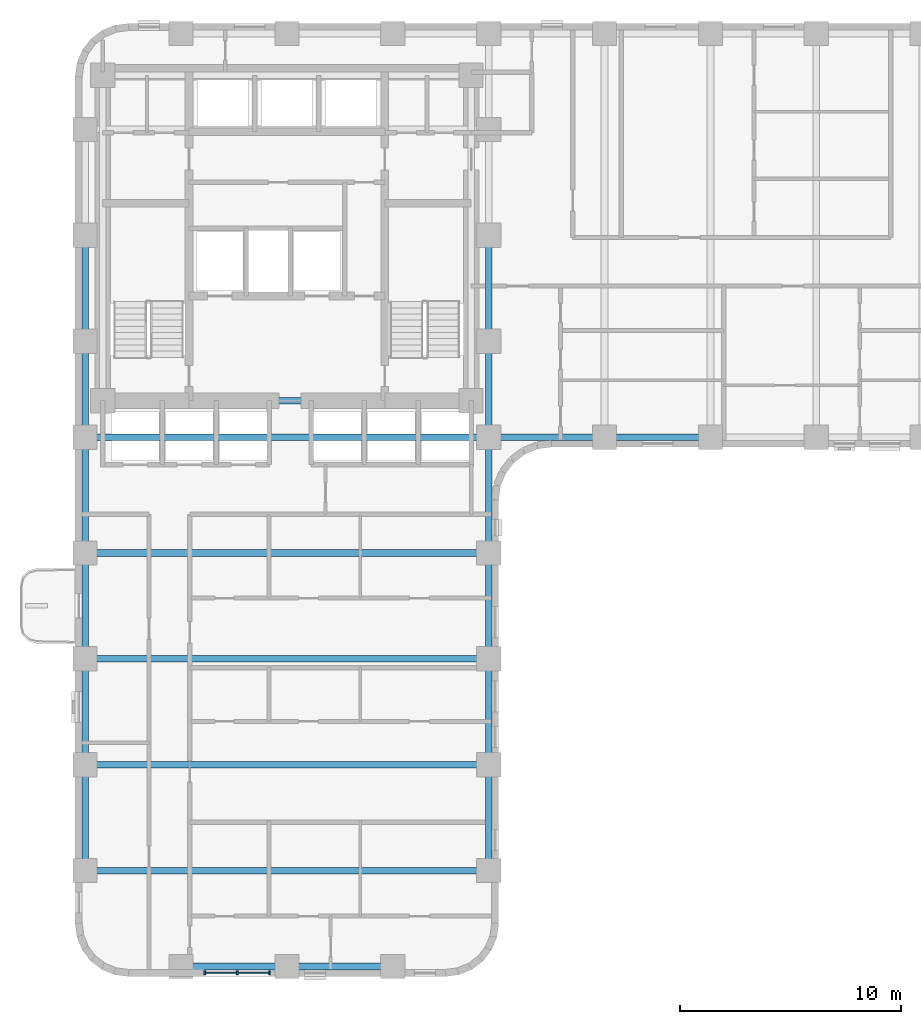
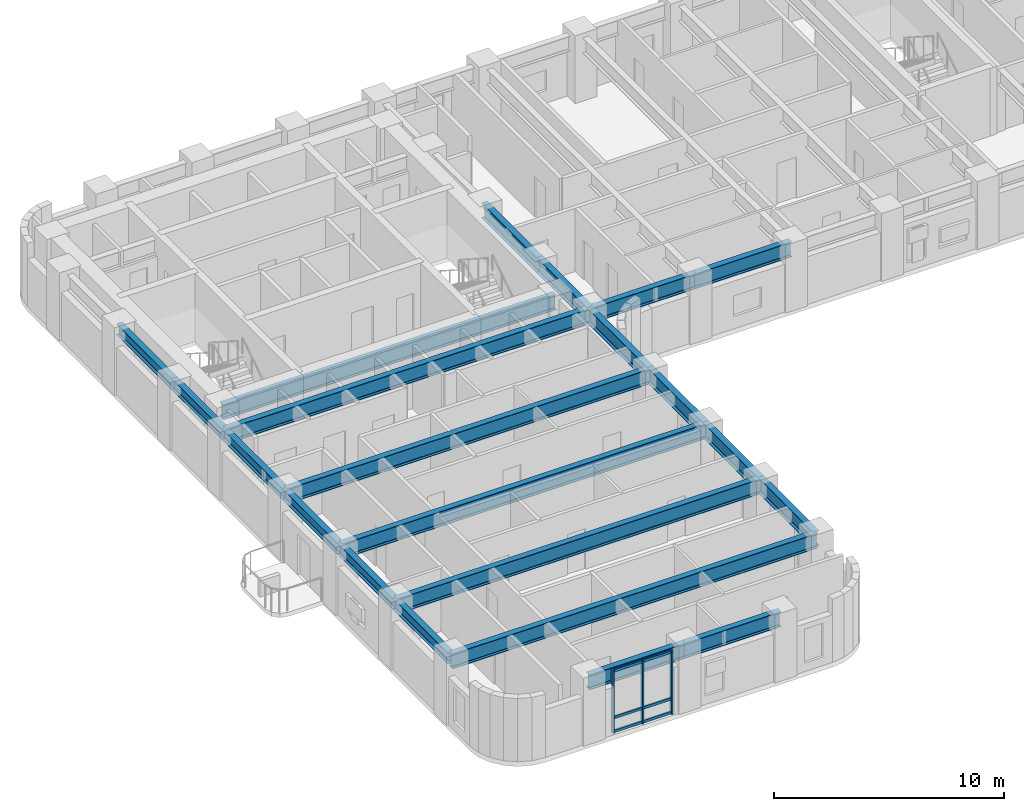
# One storey, part 2 of 12: 22 beams, 9 members, 1 element without a shape of its own.
"""IFC4 building model written with IfcOpenShell, lengths in metres."""

from ifc_helpers import new_model, si_unit, direction, frame, origin, origin_2d, place, context, subcontext, project, spatial, rectangle, i_section, extrude, material, material_profile, profile_set, type_object, element, aggregate, save


model = new_model("IFC4")

# Units and contexts
model_context = context("Model", 3, precision=1e-05, world=origin(), true_north=direction((0.0, 1.0)))
body_context = subcontext(model_context, "Body", "Model", "MODEL_VIEW")
ifc_project = project(units=[si_unit("LENGTHUNIT", "METRE"), si_unit("AREAUNIT", "SQUARE_METRE"), si_unit("VOLUMEUNIT", "CUBIC_METRE"), si_unit("PLANEANGLEUNIT", "RADIAN"), si_unit("MASSUNIT", "GRAM", prefix="KILO")], contexts=[model_context])

# Site, building, storey
site_placement = place(None, origin())
site = spatial("IfcSite", under=ifc_project, at=site_placement, CompositionType="ELEMENT")
building_placement = place(site_placement, origin())
building = spatial("IfcBuilding", under=site, at=building_placement, Name="Orvandelia Arch Residences", CompositionType="ELEMENT")
storey_placement = place(building_placement, frame((0.0, 0.0, 71.800048828125)))
storey = spatial("IfcBuildingStorey", under=building, at=storey_placement, Name="L18", CompositionType="ELEMENT", Elevation=71.800048828125)

# Beams
ifc_material_1 = material(Name="Structural Steel SM355 (355 MPa)", Category="steel")
ifc_material_profile_1 = material_profile(ifc_material_1, i_section(OverallWidth=0.300048828125, OverallDepth=0.800048828125, WebThickness=0.013916015625, FlangeThickness=0.02587890625, FilletRadius=0.02587890625, at=origin_2d()), Name="Structural Steel SM355 (355 MPa)", Category="steel")
ifc_profile_set_1 = profile_set([ifc_material_profile_1], Name="Structural Steel SM355 (355 MPa)")
beam_type_1 = type_object("IfcBeamType", Name="BM-GRD-H800", PredefinedType="BEAM", material=ifc_profile_set_1)
beam_1_placement = place(storey_placement, frame((23.550048828125, 9.60009765625, 2.949951171875), z_axis=(0.0, 1.0, 0.0), x_axis=(-1.0, 0.0, 0.0)))
element("IfcBeam", 1, at=beam_1_placement, inside=storey, type_object=beam_type_1, Name="Structural Frame Beam L18-NS-010", PredefinedType="BEAM", context=body_context, shape_type="SweptSolid", body=[
    extrude(i_section(OverallWidth=0.300048828125, OverallDepth=0.800048828125, WebThickness=0.013916015625, FlangeThickness=0.02587890625, FilletRadius=0.02587890625, at=origin_2d()), origin(), (0.0, 0.0, 1.0), 4.7998046875),
])
for number, where, z_axis, x_axis, name in (
    (2, (23.550048828125, 14.39990234375, 2.949951171875), (0.0, 1.0, 0.0), (-1.0, 0.0, 0.0), "Structural Frame Beam L18-NS-011"),
    (3, (23.550048828125, 19.199951171875, 2.949951171875), (0.0, 1.0, 0.0), (-1.0, 0.0, 0.0), "Structural Frame Beam L18-NS-012"),
):
    element("IfcBeam", number, at=place(storey_placement, frame(where, z_axis=z_axis, x_axis=x_axis)), inside=storey, type_object=beam_type_1, Name=name, PredefinedType="BEAM", context=body_context, shape_type="SweptSolid", body=[
        extrude(i_section(OverallWidth=0.300048828125, OverallDepth=0.800048828125, WebThickness=0.013916015625, FlangeThickness=0.02587890625, FilletRadius=0.02587890625, at=origin_2d()), origin(), (0.0, 0.0, 1.0), 4.800048828125),
    ])
beam_2_placement = place(storey_placement, frame((23.550048828125, 24.0, 2.949951171875), z_axis=(0.0, 1.0, 0.0), x_axis=(-1.0, 0.0, 0.0)))
element("IfcBeam", 4, at=beam_2_placement, inside=storey, type_object=beam_type_1, Name="Structural Frame Beam L18-NS-013", PredefinedType="BEAM", context=body_context, shape_type="SweptSolid", body=[
    extrude(i_section(OverallWidth=0.300048828125, OverallDepth=0.800048828125, WebThickness=0.013916015625, FlangeThickness=0.02587890625, FilletRadius=0.02587890625, at=origin_2d()), origin(), (0.0, 0.0, 1.0), 5.25),
])
beam_3_placement = place(storey_placement, frame((23.550048828125, 29.25, 2.949951171875), z_axis=(0.0, 1.0, 0.0), x_axis=(-1.0, 0.0, 0.0)))
element("IfcBeam", 5, at=beam_3_placement, inside=storey, type_object=beam_type_1, Name="Structural Frame Beam L18-NS-014", PredefinedType="BEAM", context=body_context, shape_type="SweptSolid", body=[
    extrude(i_section(OverallWidth=0.300048828125, OverallDepth=0.800048828125, WebThickness=0.013916015625, FlangeThickness=0.02587890625, FilletRadius=0.02587890625, at=origin_2d()), origin(), (0.0, 0.0, 1.0), 4.35009765625),
])
for number, where, z_axis, x_axis, name in (
    (6, (23.550048828125, 33.60009765625, 2.949951171875), (0.0, 1.0, 0.0), (-1.0, 0.0, 0.0), "Structural Frame Beam L18-NS-015"),
    (7, (9.60009765625, 5.25, 2.949951171875), (1.0, 0.0, 0.0), (0.0, 1.0, 0.0), "Structural Frame Girder L18-EW-029"),
):
    element("IfcBeam", number, at=place(storey_placement, frame(where, z_axis=z_axis, x_axis=x_axis)), inside=storey, type_object=beam_type_1, Name=name, PredefinedType="BEAM", context=body_context, shape_type="SweptSolid", body=[
        extrude(i_section(OverallWidth=0.300048828125, OverallDepth=0.800048828125, WebThickness=0.013916015625, FlangeThickness=0.02587890625, FilletRadius=0.02587890625, at=origin_2d()), origin(), (0.0, 0.0, 1.0), 4.7998046875),
    ])
beam_4_placement = place(storey_placement, frame((14.39990234375, 5.25, 2.949951171875), z_axis=(1.0, 0.0, 0.0), x_axis=(0.0, 1.0, 0.0)))
element("IfcBeam", 8, at=beam_4_placement, inside=storey, type_object=beam_type_1, Name="Structural Frame Girder L18-EW-030", PredefinedType="BEAM", context=body_context, shape_type="SweptSolid", body=[
    extrude(i_section(OverallWidth=0.300048828125, OverallDepth=0.800048828125, WebThickness=0.013916015625, FlangeThickness=0.02587890625, FilletRadius=0.02587890625, at=origin_2d()), origin(), (0.0, 0.0, 1.0), 4.800048828125),
])
for number, where, z_axis, x_axis, name in (
    (9, (5.25, 9.60009765625, 2.949951171875), (1.0, 0.0, 0.0), (0.0, 1.0, 0.0), "Structural Frame Girder L18-EW-031"),
    (10, (5.25, 14.39990234375, 2.949951171875), (1.0, 0.0, 0.0), (0.0, 1.0, 0.0), "Structural Frame Girder L18-EW-032"),
    (11, (5.25, 19.199951171875, 2.949951171875), (1.0, 0.0, 0.0), (0.0, 1.0, 0.0), "Structural Frame Girder L18-EW-033"),
    (12, (5.25, 24.0, 2.949951171875), (1.0, 0.0, 0.0), (0.0, 1.0, 0.0), "Structural Frame Girder L18-EW-034"),
    (13, (5.25, 29.25, 2.949951171875), (1.0, 0.0, 0.0), (0.0, 1.0, 0.0), "Structural Frame Girder L18-EW-035"),
):
    element("IfcBeam", number, at=place(storey_placement, frame(where, z_axis=z_axis, x_axis=x_axis)), inside=storey, type_object=beam_type_1, Name=name, PredefinedType="BEAM", context=body_context, shape_type="SweptSolid", body=[
        extrude(i_section(OverallWidth=0.300048828125, OverallDepth=0.800048828125, WebThickness=0.013916015625, FlangeThickness=0.02587890625, FilletRadius=0.02587890625, at=origin_2d()), origin(), (0.0, 0.0, 1.0), 18.300048828125),
    ])
beam_5_placement = place(storey_placement, frame((23.550048828125, 29.25, 2.949951171875), z_axis=(1.0, 0.0, 0.0), x_axis=(0.0, 1.0, 0.0)))
element("IfcBeam", 14, at=beam_5_placement, inside=storey, type_object=beam_type_1, Name="Structural Frame Girder L18-EW-036", PredefinedType="BEAM", context=body_context, shape_type="SweptSolid", body=[
    extrude(i_section(OverallWidth=0.300048828125, OverallDepth=0.800048828125, WebThickness=0.013916015625, FlangeThickness=0.02587890625, FilletRadius=0.02587890625, at=origin_2d()), origin(), (0.0, 0.0, 1.0), 5.25),
])
beam_6_placement = place(storey_placement, frame((28.800048828125, 29.25, 2.949951171875), z_axis=(1.0, 0.0, 0.0), x_axis=(0.0, 1.0, 0.0)))
element("IfcBeam", 15, at=beam_6_placement, inside=storey, type_object=beam_type_1, Name="Structural Frame Girder L18-EW-037", PredefinedType="BEAM", context=body_context, shape_type="SweptSolid", body=[
    extrude(i_section(OverallWidth=0.300048828125, OverallDepth=0.800048828125, WebThickness=0.013916015625, FlangeThickness=0.02587890625, FilletRadius=0.02587890625, at=origin_2d()), origin(), (0.0, 0.0, 1.0), 4.800048828125),
])
beam_7_placement = place(storey_placement, frame((6.050048828125, 30.89990234375, 2.949951171875), z_axis=(1.0, 0.0, 0.0), x_axis=(0.0, 1.0, 0.0)))
element("IfcBeam", 16, at=beam_7_placement, inside=storey, type_object=beam_type_1, Name="Structural Frame Girder L18-EW-042", PredefinedType="BEAM", context=body_context, shape_type="SweptSolid", body=[
    extrude(i_section(OverallWidth=0.300048828125, OverallDepth=0.800048828125, WebThickness=0.013916015625, FlangeThickness=0.02587890625, FilletRadius=0.02587890625, at=origin_2d()), origin(), (0.0, 0.0, 1.0), 16.699951171875),
])
ifc_material_profile_2 = material_profile(ifc_material_1, i_section(OverallWidth=0.300048828125, OverallDepth=0.587890625, WebThickness=0.011962890625, FlangeThickness=0.02001953125, FilletRadius=0.02197265625, at=origin_2d()), Name="Structural Steel SM355 (355 MPa)", Category="steel")
ifc_profile_set_2 = profile_set([ifc_material_profile_2], Name="Structural Steel SM355 (355 MPa)")
beam_type_2 = type_object("IfcBeamType", Name="BM-SPN-H588", PredefinedType="SPANDREL", material=ifc_profile_set_2)
beam_8_placement = place(storey_placement, frame((5.25, 9.60009765625, 3.055908203125), z_axis=(0.0, 1.0, 0.0), x_axis=(-1.0, 0.0, 0.0)))
element("IfcBeam", 17, at=beam_8_placement, inside=storey, type_object=beam_type_2, Name="Structural Frame Beam L18-NS-001", PredefinedType="SPANDREL", context=body_context, shape_type="SweptSolid", body=[
    extrude(i_section(OverallWidth=0.300048828125, OverallDepth=0.587890625, WebThickness=0.011962890625, FlangeThickness=0.02001953125, FilletRadius=0.02197265625, at=origin_2d()), origin(), (0.0, 0.0, 1.0), 4.7998046875),
])
for number, where, z_axis, x_axis, name in (
    (18, (5.25, 14.39990234375, 3.055908203125), (0.0, 1.0, 0.0), (-1.0, 0.0, 0.0), "Structural Frame Beam L18-NS-002"),
    (19, (5.25, 19.199951171875, 3.055908203125), (0.0, 1.0, 0.0), (-1.0, 0.0, 0.0), "Structural Frame Beam L18-NS-003"),
):
    element("IfcBeam", number, at=place(storey_placement, frame(where, z_axis=z_axis, x_axis=x_axis)), inside=storey, type_object=beam_type_2, Name=name, PredefinedType="SPANDREL", context=body_context, shape_type="SweptSolid", body=[
        extrude(i_section(OverallWidth=0.300048828125, OverallDepth=0.587890625, WebThickness=0.011962890625, FlangeThickness=0.02001953125, FilletRadius=0.02197265625, at=origin_2d()), origin(), (0.0, 0.0, 1.0), 4.800048828125),
    ])
beam_9_placement = place(storey_placement, frame((5.25, 24.0, 3.055908203125), z_axis=(0.0, 1.0, 0.0), x_axis=(-1.0, 0.0, 0.0)))
element("IfcBeam", 20, at=beam_9_placement, inside=storey, type_object=beam_type_2, Name="Structural Frame Beam L18-NS-004", PredefinedType="SPANDREL", context=body_context, shape_type="SweptSolid", body=[
    extrude(i_section(OverallWidth=0.300048828125, OverallDepth=0.587890625, WebThickness=0.011962890625, FlangeThickness=0.02001953125, FilletRadius=0.02197265625, at=origin_2d()), origin(), (0.0, 0.0, 1.0), 5.25),
])
beam_10_placement = place(storey_placement, frame((5.25, 29.25, 3.055908203125), z_axis=(0.0, 1.0, 0.0), x_axis=(-1.0, 0.0, 0.0)))
element("IfcBeam", 21, at=beam_10_placement, inside=storey, type_object=beam_type_2, Name="Structural Frame Beam L18-NS-005", PredefinedType="SPANDREL", context=body_context, shape_type="SweptSolid", body=[
    extrude(i_section(OverallWidth=0.300048828125, OverallDepth=0.587890625, WebThickness=0.011962890625, FlangeThickness=0.02001953125, FilletRadius=0.02197265625, at=origin_2d()), origin(), (0.0, 0.0, 1.0), 4.35009765625),
])
beam_11_placement = place(storey_placement, frame((5.25, 33.60009765625, 3.055908203125), z_axis=(0.0, 1.0, 0.0), x_axis=(-1.0, 0.0, 0.0)))
element("IfcBeam", 22, at=beam_11_placement, inside=storey, type_object=beam_type_2, Name="Structural Frame Beam L18-NS-006", PredefinedType="SPANDREL", context=body_context, shape_type="SweptSolid", body=[
    extrude(i_section(OverallWidth=0.300048828125, OverallDepth=0.587890625, WebThickness=0.011962890625, FlangeThickness=0.02001953125, FilletRadius=0.02197265625, at=origin_2d()), origin(), (0.0, 0.0, 1.0), 4.7998046875),
])

# Curtain wall, members
ifc_material_2 = material(Name="Anodised Bronze Curtain Wall Assembly")
curtain_wall_type = type_object("IfcCurtainWallType", Name="CW-SYS5-CORNER", PredefinedType="NOTDEFINED", material=ifc_material_2)
curtain_wall_placement = place(storey_placement, origin())
curtain_wall = element("IfcCurtainWall", 23, at=curtain_wall_placement, inside=storey, type_object=curtain_wall_type, Name="Feature Bay Winter-Garden Curtain Wall L18 1", PredefinedType="NOTDEFINED")
ifc_material_3 = material(Name="Anodised Aluminium Alloy 6063-T6", Category="aluminium")
ifc_material_profile_3 = material_profile(ifc_material_3, rectangle(XDim=0.080078125, YDim=0.179931640625, at=origin_2d()), Name="Anodised Aluminium Alloy 6063-T6", Category="aluminium")
ifc_profile_set_3 = profile_set([ifc_material_profile_3], Name="Anodised Aluminium Alloy 6063-T6")
member_type_1 = type_object("IfcMemberType", Name="CW-MULLION-80x160", PredefinedType="MULLION", material=ifc_profile_set_3)
member_1_placement = place(storey_placement, frame((10.679931640625, 4.9599609375, 0.0), z_axis=(0.0, 0.0, 1.0), x_axis=(1.0, 0.0, 0.0)))
member_1 = element("IfcMember", 24, at=member_1_placement, type_object=member_type_1, Name="Curtain Wall Mullion CW-L18-1-M1", PredefinedType="MULLION", context=body_context, shape_type="SweptSolid", body=[
    extrude(rectangle(XDim=0.080078125, YDim=0.179931640625, at=origin_2d()), origin(), (0.0, 0.0, 1.0), 3.349853515625),
])
member_2_placement = place(storey_placement, frame((12.14501953125, 4.9599609375, 0.0), z_axis=(0.0, 0.0, 1.0), x_axis=(1.0, 0.0, 0.0)))
member_2 = element("IfcMember", 25, at=member_2_placement, type_object=member_type_1, Name="Curtain Wall Mullion CW-L18-1-M2", PredefinedType="MULLION", context=body_context, shape_type="SweptSolid", body=[
    extrude(rectangle(XDim=0.080078125, YDim=0.179931640625, at=origin_2d()), origin(), (0.0, 0.0, 1.0), 3.349853515625),
])
member_3_placement = place(storey_placement, frame((13.610107421875, 4.9599609375, 0.0), z_axis=(0.0, 0.0, 1.0), x_axis=(1.0, 0.0, 0.0)))
member_3 = element("IfcMember", 26, at=member_3_placement, type_object=member_type_1, Name="Curtain Wall Mullion CW-L18-1-M3", PredefinedType="MULLION", context=body_context, shape_type="SweptSolid", body=[
    extrude(rectangle(XDim=0.080078125, YDim=0.179931640625, at=origin_2d()), origin(), (0.0, 0.0, 1.0), 3.349853515625),
])
ifc_material_profile_4 = material_profile(ifc_material_3, rectangle(XDim=0.080078125, YDim=0.139892578125, at=origin_2d()), Name="Anodised Aluminium Alloy 6063-T6", Category="aluminium")
ifc_profile_set_4 = profile_set([ifc_material_profile_4], Name="Anodised Aluminium Alloy 6063-T6")
member_type_2 = type_object("IfcMemberType", Name="CW-TRANSOM-80x140", PredefinedType="USERDEFINED", material=ifc_profile_set_4)
member_4_placement = place(storey_placement, frame((10.705078125, 4.9599609375, 0.070068359375), z_axis=(1.0, 0.0, 0.0), x_axis=(0.0, 1.0, 0.0)))
member_4 = element("IfcMember", 27, at=member_4_placement, type_object=member_type_2, Name="Curtain Wall Transom CW-L18-1-T1-1", ObjectType="TRANSOM", PredefinedType="USERDEFINED", context=body_context, shape_type="SweptSolid", body=[
    extrude(rectangle(XDim=0.080078125, YDim=0.139892578125, at=origin_2d()), origin(), (0.0, 0.0, 1.0), 1.4150390625),
])
member_5_placement = place(storey_placement, frame((10.705078125, 4.9599609375, 0.803955078125), z_axis=(1.0, 0.0, 0.0), x_axis=(0.0, 1.0, 0.0)))
member_5 = element("IfcMember", 28, at=member_5_placement, type_object=member_type_2, Name="Curtain Wall Transom CW-L18-1-T1-2", ObjectType="TRANSOM", PredefinedType="USERDEFINED", context=body_context, shape_type="SweptSolid", body=[
    extrude(rectangle(XDim=0.080078125, YDim=0.139892578125, at=origin_2d()), origin(), (0.0, 0.0, 1.0), 1.4150390625),
])
member_6_placement = place(storey_placement, frame((10.705078125, 4.9599609375, 3.280029296875), z_axis=(1.0, 0.0, 0.0), x_axis=(0.0, 1.0, 0.0)))
member_6 = element("IfcMember", 29, at=member_6_placement, type_object=member_type_2, Name="Curtain Wall Transom CW-L18-1-T1-3", ObjectType="TRANSOM", PredefinedType="USERDEFINED", context=body_context, shape_type="SweptSolid", body=[
    extrude(rectangle(XDim=0.080078125, YDim=0.139892578125, at=origin_2d()), origin(), (0.0, 0.0, 1.0), 1.4150390625),
])
member_7_placement = place(storey_placement, frame((12.169921875, 4.9599609375, 0.070068359375), z_axis=(1.0, 0.0, 0.0), x_axis=(0.0, 1.0, 0.0)))
member_7 = element("IfcMember", 30, at=member_7_placement, type_object=member_type_2, Name="Curtain Wall Transom CW-L18-1-T2-1", ObjectType="TRANSOM", PredefinedType="USERDEFINED", context=body_context, shape_type="SweptSolid", body=[
    extrude(rectangle(XDim=0.080078125, YDim=0.139892578125, at=origin_2d()), origin(), (0.0, 0.0, 1.0), 1.4150390625),
])
member_8_placement = place(storey_placement, frame((12.169921875, 4.9599609375, 0.803955078125), z_axis=(1.0, 0.0, 0.0), x_axis=(0.0, 1.0, 0.0)))
member_8 = element("IfcMember", 31, at=member_8_placement, type_object=member_type_2, Name="Curtain Wall Transom CW-L18-1-T2-2", ObjectType="TRANSOM", PredefinedType="USERDEFINED", context=body_context, shape_type="SweptSolid", body=[
    extrude(rectangle(XDim=0.080078125, YDim=0.139892578125, at=origin_2d()), origin(), (0.0, 0.0, 1.0), 1.4150390625),
])
member_9_placement = place(storey_placement, frame((12.169921875, 4.9599609375, 3.280029296875), z_axis=(1.0, 0.0, 0.0), x_axis=(0.0, 1.0, 0.0)))
member_9 = element("IfcMember", 32, at=member_9_placement, type_object=member_type_2, Name="Curtain Wall Transom CW-L18-1-T2-3", ObjectType="TRANSOM", PredefinedType="USERDEFINED", context=body_context, shape_type="SweptSolid", body=[
    extrude(rectangle(XDim=0.080078125, YDim=0.139892578125, at=origin_2d()), origin(), (0.0, 0.0, 1.0), 1.4150390625),
])
aggregate(curtain_wall, [member_1, member_2, member_3, member_4, member_5, member_6, member_7, member_8, member_9])

save(model, "model.ifc")
